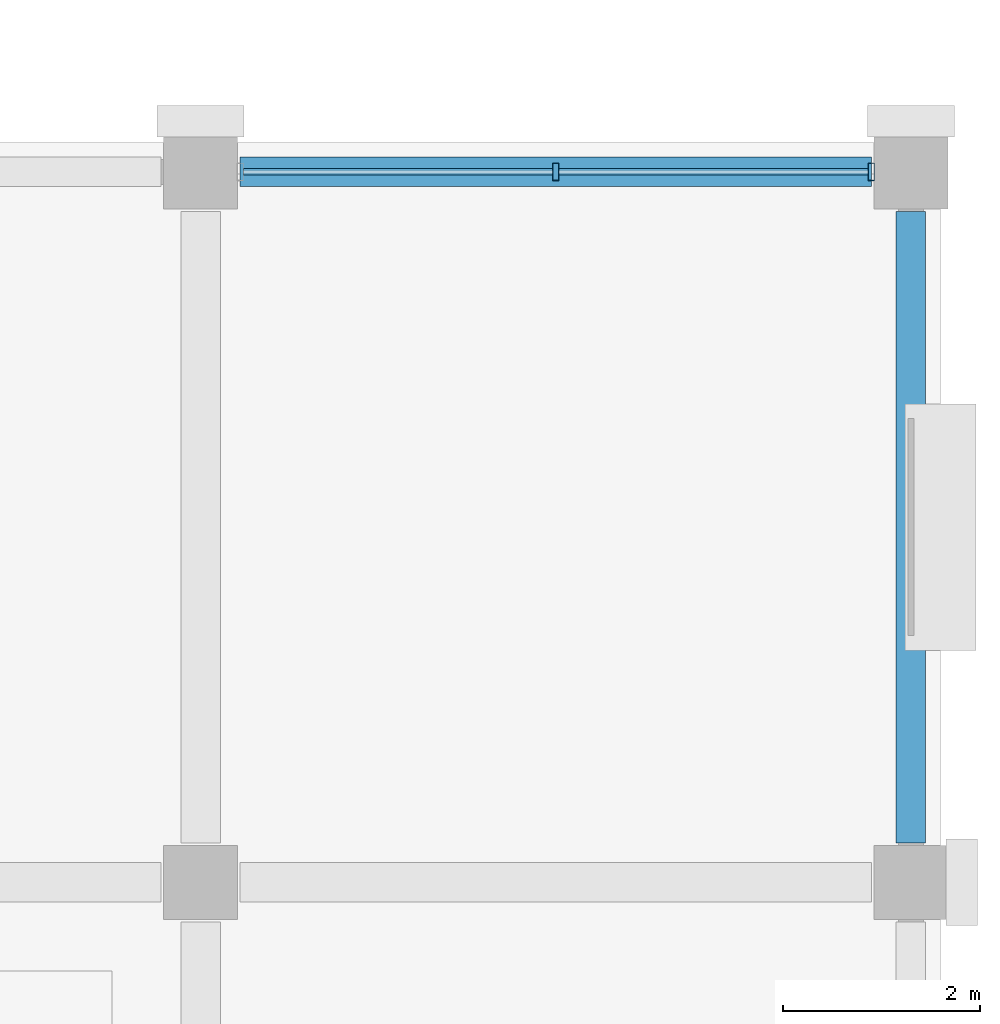
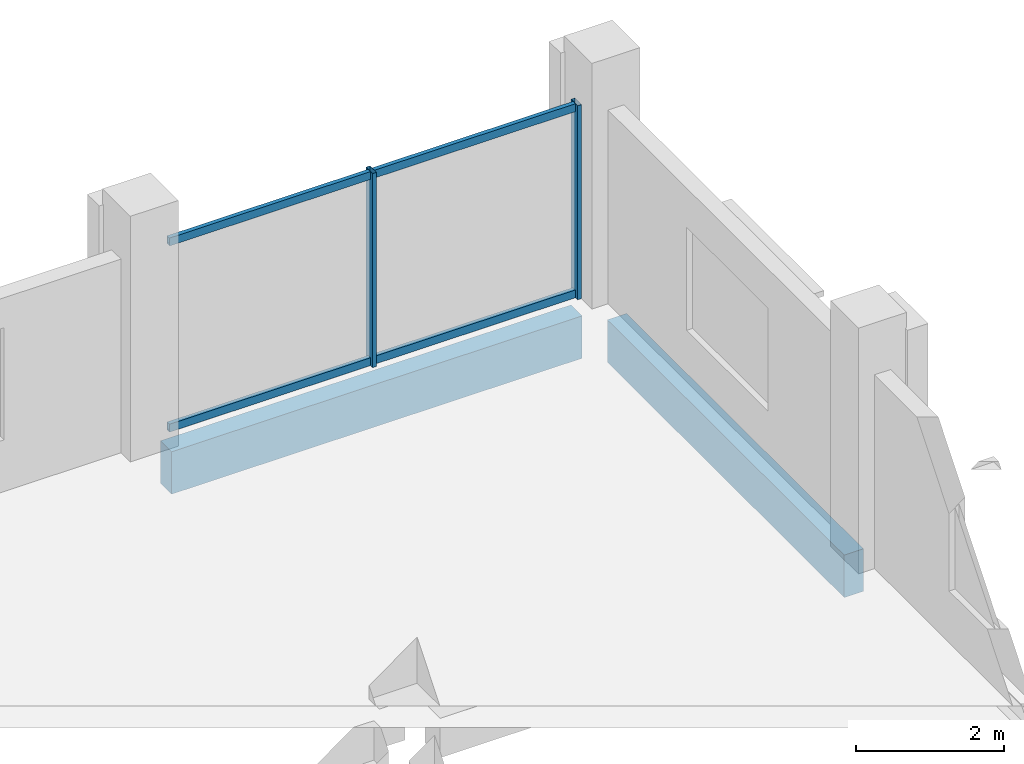
# One storey, part 70 of 107: 6 members, 2 beams, 1 element without a shape of its own.
"""IFC4 building model written with IfcOpenShell, lengths in metres."""

from ifc_helpers import new_model, si_unit, direction, frame, origin, origin_2d, place, context, subcontext, project, spatial, rectangle, hollow_rectangle, extrude, material, layer, layer_set, material_profile, profile_set, type_object, element, aggregate, save


model = new_model("IFC4")

# Units and contexts
model_context = context("Model", 3, precision=1e-05, world=origin(), true_north=direction((0.0, 1.0)))
body_context = subcontext(model_context, "Body", "Model", "MODEL_VIEW")
ifc_project = project(units=[si_unit("LENGTHUNIT", "METRE"), si_unit("AREAUNIT", "SQUARE_METRE"), si_unit("VOLUMEUNIT", "CUBIC_METRE"), si_unit("PLANEANGLEUNIT", "RADIAN"), si_unit("MASSUNIT", "GRAM", prefix="KILO")], contexts=[model_context])

# Site, building, storey
site_placement = place(None, origin())
site = spatial("IfcSite", under=ifc_project, at=site_placement, CompositionType="ELEMENT")
building_placement = place(site_placement, origin())
building = spatial("IfcBuilding", under=site, at=building_placement, Name="Kangsadwip Square Police Headquarters", CompositionType="ELEMENT")
storey_placement = place(building_placement, frame((0.0, 0.0, 5.39990234375)))
storey = spatial("IfcBuildingStorey", under=building, at=storey_placement, Name="L01", CompositionType="ELEMENT", Elevation=5.39990234375)

# Curtain wall, members
ifc_material_1 = material(Name="Thermally broken anodised aluminium AW-6063-T6", Category="aluminium")
ifc_layer = layer(ifc_material_1, 0.159912109375)
ifc_layer_set = layer_set([ifc_layer], Name="Thermally broken anodised aluminium AW-6063-T6")
curtain_wall_type = type_object("IfcCurtainWallType", Name="UnitisedCw6460x3200", PredefinedType="NOTDEFINED", material=ifc_layer_set)
curtain_wall_placement = place(storey_placement, origin())
curtain_wall = element("IfcCurtainWall", 1, at=curtain_wall_placement, inside=storey, type_object=curtain_wall_type, Name="Curtain Wall CW-L01-1588-1152", PredefinedType="NOTDEFINED")
ifc_material_2 = material(Name="Thermally broken anodised aluminium AW-6063-T6", Category="aluminium")
ifc_material_profile_1 = material_profile(ifc_material_2, hollow_rectangle(XDim=0.06494140625, YDim=0.179931640625, WallThickness=0.00390625, at=origin_2d()), Name="CWM 180X65X4")
ifc_profile_set_1 = profile_set([ifc_material_profile_1], Name="Thermally broken anodised aluminium AW-6063-T6")
member_type_1 = type_object("IfcMemberType", Name="CwMullion160x65", PredefinedType="MULLION", material=ifc_profile_set_1)
member_1_placement = place(storey_placement, frame((162.0, 115.199951171875, 0.0), z_axis=(0.0, 0.0, 1.0), x_axis=(1.0, 0.0, 0.0)))
member_1 = element("IfcMember", 2, at=member_1_placement, type_object=member_type_1, Name="CW-26 mullion 2", PredefinedType="MULLION", context=body_context, shape_type="SweptSolid", body=[
    extrude(hollow_rectangle(XDim=0.06494140625, YDim=0.179931640625, WallThickness=0.00390625, at=origin_2d()), origin(), (0.0, 0.0, 1.0), 3.2001953125),
])
member_2_placement = place(storey_placement, frame((165.197509765625, 115.199951171875, 0.0), z_axis=(0.0, 0.0, 1.0), x_axis=(1.0, 0.0, 0.0)))
member_2 = element("IfcMember", 3, at=member_2_placement, type_object=member_type_1, Name="CW-26 mullion 3", PredefinedType="MULLION", context=body_context, shape_type="SweptSolid", body=[
    extrude(hollow_rectangle(XDim=0.06494140625, YDim=0.179931640625, WallThickness=0.00390625, at=origin_2d()), origin(), (0.0, 0.0, 1.0), 3.2001953125),
])
ifc_material_3 = material(Name="Thermally broken anodised aluminium AW-6063-T6", Category="aluminium")
ifc_material_profile_2 = material_profile(ifc_material_3, hollow_rectangle(XDim=0.06494140625, YDim=0.1298828125, WallThickness=0.00390625, at=origin_2d()), Name="CWT 130X65X4")
ifc_profile_set_2 = profile_set([ifc_material_profile_2], Name="Thermally broken anodised aluminium AW-6063-T6")
member_type_2 = type_object("IfcMemberType", Name="CwTransom140x60", PredefinedType="USERDEFINED", material=ifc_profile_set_2)
member_3_placement = place(storey_placement, frame((158.8349609375, 115.199951171875, 0.065185546875), z_axis=(1.0, 0.0, 0.0), x_axis=(0.0, 1.0, 0.0)))
member_3 = element("IfcMember", 4, at=member_3_placement, type_object=member_type_2, Name="CW-26 transom 1.1", ObjectType="TRANSOM", PredefinedType="USERDEFINED", context=body_context, shape_type="SweptSolid", body=[
    extrude(hollow_rectangle(XDim=0.06494140625, YDim=0.1298828125, WallThickness=0.00390625, at=origin_2d()), origin(), (0.0, 0.0, 1.0), 3.132568359375),
])
member_4_placement = place(storey_placement, frame((158.8349609375, 115.199951171875, 3.135009765625), z_axis=(1.0, 0.0, 0.0), x_axis=(0.0, 1.0, 0.0)))
member_4 = element("IfcMember", 5, at=member_4_placement, type_object=member_type_2, Name="CW-26 transom 1.2", ObjectType="TRANSOM", PredefinedType="USERDEFINED", context=body_context, shape_type="SweptSolid", body=[
    extrude(hollow_rectangle(XDim=0.06494140625, YDim=0.1298828125, WallThickness=0.00390625, at=origin_2d()), origin(), (0.0, 0.0, 1.0), 3.132568359375),
])
member_5_placement = place(storey_placement, frame((162.032470703125, 115.199951171875, 0.065185546875), z_axis=(1.0, 0.0, 0.0), x_axis=(0.0, 1.0, 0.0)))
member_5 = element("IfcMember", 6, at=member_5_placement, type_object=member_type_2, Name="CW-26 transom 2.1", ObjectType="TRANSOM", PredefinedType="USERDEFINED", context=body_context, shape_type="SweptSolid", body=[
    extrude(hollow_rectangle(XDim=0.06494140625, YDim=0.1298828125, WallThickness=0.00390625, at=origin_2d()), origin(), (0.0, 0.0, 1.0), 3.132568359375),
])
member_6_placement = place(storey_placement, frame((162.032470703125, 115.199951171875, 3.135009765625), z_axis=(1.0, 0.0, 0.0), x_axis=(0.0, 1.0, 0.0)))
member_6 = element("IfcMember", 7, at=member_6_placement, type_object=member_type_2, Name="CW-26 transom 2.2", ObjectType="TRANSOM", PredefinedType="USERDEFINED", context=body_context, shape_type="SweptSolid", body=[
    extrude(hollow_rectangle(XDim=0.06494140625, YDim=0.1298828125, WallThickness=0.00390625, at=origin_2d()), origin(), (0.0, 0.0, 1.0), 3.132568359375),
])
aggregate(curtain_wall, [member_1, member_2, member_3, member_4, member_5, member_6])

# Beams
ifc_material_4 = material(Name="Concrete M40 (40 MPa)", Category="concrete")
ifc_material_profile_3 = material_profile(ifc_material_4, rectangle(XDim=0.300048828125, YDim=0.699951171875, at=origin_2d()), Name="RC SPN 700X300")
ifc_profile_set_3 = profile_set([ifc_material_profile_3], Name="Concrete M40 (40 MPa)")
beam_type = type_object("IfcBeamType", Name="RcSpandrel700x300", PredefinedType="SPANDREL", material=ifc_profile_set_3)
beam_1_placement = place(storey_placement, frame((158.800048828125, 115.199951171875, -0.58984375), z_axis=(1.0, 0.0, 0.0), x_axis=(0.0, 1.0, 0.0)))
element("IfcBeam", 8, at=beam_1_placement, inside=storey, type_object=beam_type, Name="Beam BM-L01-X-22-16", PredefinedType="SPANDREL", context=body_context, shape_type="SweptSolid", body=[
    extrude(rectangle(XDim=0.300048828125, YDim=0.699951171875, at=origin_2d()), origin(), (0.0, 0.0, 1.0), 6.39990234375),
])
beam_2_placement = place(storey_placement, frame((165.60009765625, 108.39990234375, -0.58984375), z_axis=(0.0, 1.0, 0.0), x_axis=(-1.0, 0.0, 0.0)))
element("IfcBeam", 9, at=beam_2_placement, inside=storey, type_object=beam_type, Name="Beam BM-L01-Y-23-15", PredefinedType="SPANDREL", context=body_context, shape_type="SweptSolid", body=[
    extrude(rectangle(XDim=0.300048828125, YDim=0.699951171875, at=origin_2d()), origin(), (0.0, 0.0, 1.0), 6.400146484375),
])

save(model, "model.ifc")
